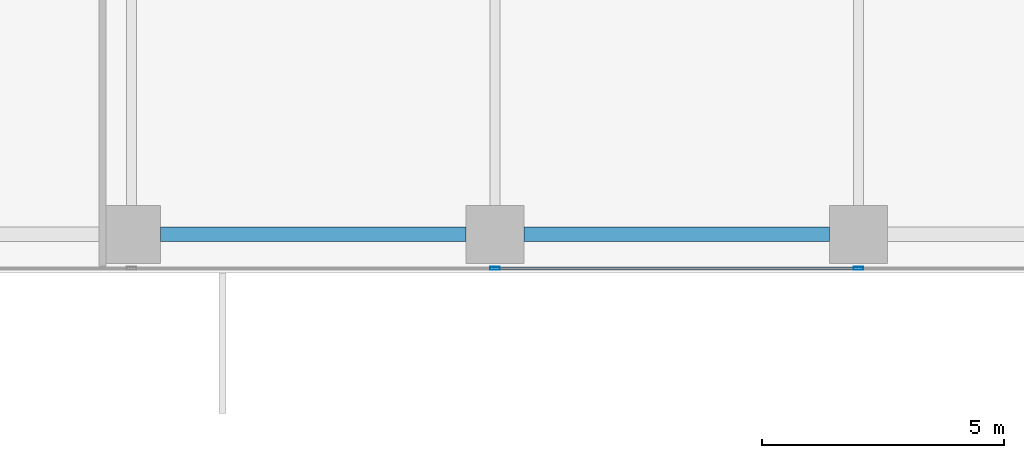
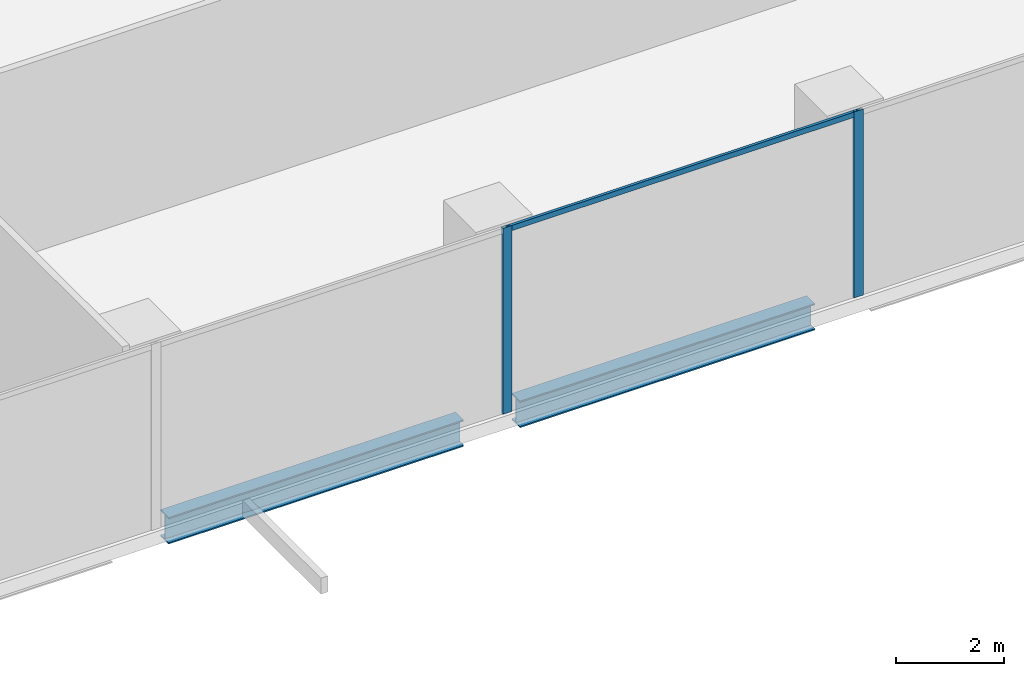
# One storey, part 7 of 33: 3 members, 2 beams, 1 element without a shape of its own.
"""IFC4 building model written with IfcOpenShell, lengths in metres."""

from ifc_helpers import new_model, si_unit, direction, frame, origin, origin_2d, place, context, subcontext, project, spatial, hollow_rectangle, i_section, extrude, source, transform, mapped, material, material_profile, profile_set, type_object, element, aggregate, save


model = new_model("IFC4")

# Units and contexts
model_context = context("Model", 3, precision=1e-05, world=origin(), true_north=direction((0.0, 1.0)))
body_context = subcontext(model_context, "Body", "Model", "MODEL_VIEW")
ifc_project = project(units=[si_unit("LENGTHUNIT", "METRE"), si_unit("AREAUNIT", "SQUARE_METRE"), si_unit("VOLUMEUNIT", "CUBIC_METRE"), si_unit("PLANEANGLEUNIT", "RADIAN"), si_unit("MASSUNIT", "GRAM", prefix="KILO")], contexts=[model_context])

# Site, building, storey
site_placement = place(None, origin())
site = spatial("IfcSite", under=ifc_project, at=site_placement, CompositionType="ELEMENT")
building_placement = place(site_placement, origin())
building = spatial("IfcBuilding", under=site, at=building_placement, Name="Khomas Fold Tower", CompositionType="ELEMENT")
storey_placement = place(building_placement, frame((0.0, 0.0, 78.0)))
storey = spatial("IfcBuildingStorey", under=building, at=storey_placement, Name="L16", CompositionType="ELEMENT", Elevation=78.0)

# Beams
ifc_material_1 = material(Name="Steel S355", Category="steel")
ifc_material_profile_1 = material_profile(ifc_material_1, i_section(OverallWidth=0.300048828125, OverallDepth=0.60009765625, WebThickness=0.015380859375, FlangeThickness=0.030029296875, at=origin_2d()), Name="HE 600 B")
ifc_profile_set_1 = profile_set([ifc_material_profile_1], Name="Steel S355")
beam_type = type_object("IfcBeamType", Name="HE 600 B spandrel SB1", PredefinedType="SPANDREL", material=ifc_profile_set_1)
shared_shape_1 = source(origin(), body_context, "Body", "SweptSolid", [
    extrude(i_section(OverallWidth=0.300048828125, OverallDepth=0.60009765625, WebThickness=0.015380859375, FlangeThickness=0.030029296875, at=origin_2d()), origin(), (0.0, 0.0, 1.0), 6.2998046875),
])
for number, where, z_axis, x_axis, name in (
    (1, (27.60009765625, 0.800048828125, -0.60009765625), (1.0, 0.0, 0.0), (0.0, 1.0, 0.0), "SB1"),
    (2, (35.10009765625, 0.800048828125, -0.60009765625), (1.0, 0.0, 0.0), (0.0, 1.0, 0.0), "SB1"),
):
    element("IfcBeam", number, at=place(storey_placement, frame(where, z_axis=z_axis, x_axis=x_axis)), inside=storey, type_object=beam_type, Name=name, PredefinedType="SPANDREL", context=body_context, shape_type="MappedRepresentation", body=[
        mapped(shared_shape_1, transform((0.0, 0.0, 0.0))),
    ])

# Curtain wall, members
ifc_material_2 = material(Name="Aluminium framed double glazing", Category="aluminium")
curtain_wall_type = type_object("IfcCurtainWallType", Name="SK-Unitised clear-glass wall, growing floors CW1", PredefinedType="NOTDEFINED", material=ifc_material_2)
curtain_wall_placement = place(storey_placement, origin())
curtain_wall = element("IfcCurtainWall", 3, at=curtain_wall_placement, inside=storey, type_object=curtain_wall_type, Name="CW1 run L16 00-0", PredefinedType="NOTDEFINED")
ifc_material_3 = material(Name="Aluminium", Category="aluminium")
ifc_material_profile_2 = material_profile(ifc_material_3, hollow_rectangle(XDim=0.06005859375, YDim=0.1201171875, WallThickness=0.00390625, at=origin_2d()), Name="SK-Unitised clear-glass wall, growing floors transom CW1-T")
ifc_profile_set_2 = profile_set([ifc_material_profile_2], Name="Aluminium")
member_type_1 = type_object("IfcMemberType", Name="SK-Unitised clear-glass wall, growing floors transom CW1-T", PredefinedType="USERDEFINED", material=ifc_profile_set_2)
shared_shape_2 = source(origin(), body_context, "Body", "SweptSolid", [
    extrude(hollow_rectangle(XDim=0.06005859375, YDim=0.1201171875, WallThickness=0.00390625, at=origin_2d()), origin(), (0.0, 0.0, 1.0), 7.43994140625),
])
member_1_placement = place(storey_placement, frame((34.530029296875, 0.10009765625, 4.139892578125), z_axis=(1.0, 0.0, 0.0), x_axis=(0.0, 1.0, 0.0)))
member_1 = element("IfcMember", 4, at=member_1_placement, type_object=member_type_1, Name="CW1 transom 6", ObjectType="TRANSOM", PredefinedType="USERDEFINED", context=body_context, shape_type="MappedRepresentation", body=[
    mapped(shared_shape_2, transform((0.0, 0.0, 0.0))),
])
ifc_material_4 = material(Name="Aluminium", Category="aluminium")
ifc_material_profile_3 = material_profile(ifc_material_4, hollow_rectangle(XDim=0.06005859375, YDim=0.199951171875, WallThickness=0.00390625, at=origin_2d()), Name="SK-Unitised clear-glass wall, growing floors mullion CW1-M")
ifc_profile_set_3 = profile_set([ifc_material_profile_3], Name="Aluminium")
member_type_2 = type_object("IfcMemberType", Name="SK-Unitised clear-glass wall, growing floors mullion CW1-M", PredefinedType="MULLION", material=ifc_profile_set_3)
shared_shape_3 = source(origin(), body_context, "Body", "SweptSolid", [
    extrude(hollow_rectangle(XDim=0.06005859375, YDim=0.199951171875, WallThickness=0.00390625, at=origin_2d()), origin(), (0.0, 0.0, 1.0), 4.199951171875),
])
member_2_placement = place(storey_placement, frame((34.5, 0.10009765625, 0.0), z_axis=(0.0, 0.0, 1.0), x_axis=(0.0, 1.0, 0.0)))
member_2 = element("IfcMember", 5, at=member_2_placement, type_object=member_type_2, Name="CW1 mullion 6", PredefinedType="MULLION", context=body_context, shape_type="MappedRepresentation", body=[
    mapped(shared_shape_3, transform((0.0, 0.0, 0.0))),
])
member_3_placement = place(storey_placement, frame((42.0, 0.10009765625, 0.0), z_axis=(0.0, 0.0, 1.0), x_axis=(0.0, 1.0, 0.0)))
member_3 = element("IfcMember", 6, at=member_3_placement, type_object=member_type_2, Name="CW1 mullion 7", PredefinedType="MULLION", context=body_context, shape_type="MappedRepresentation", body=[
    mapped(shared_shape_3, transform((0.0, 0.0, 0.0))),
])
aggregate(curtain_wall, [member_2, member_3, member_1])

save(model, "model.ifc")
